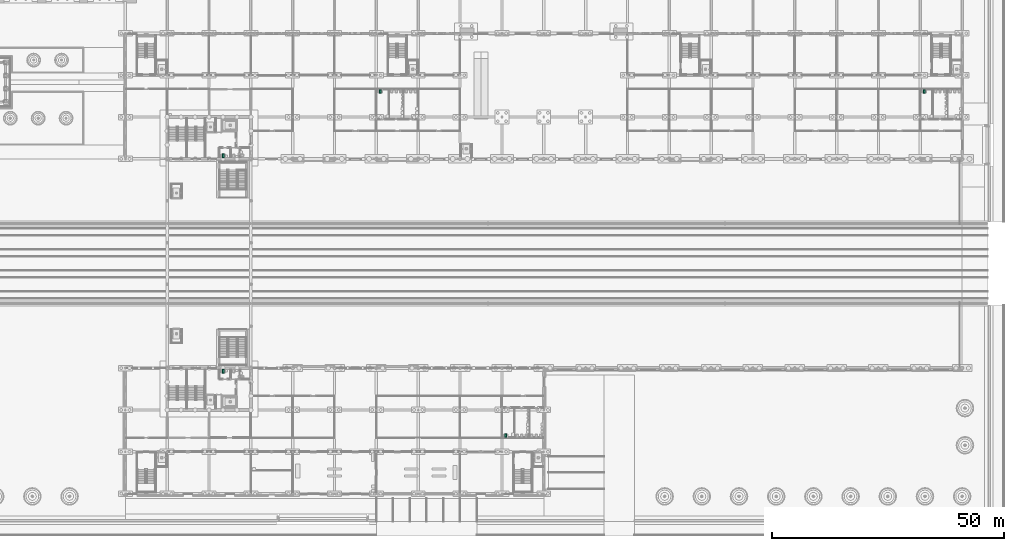
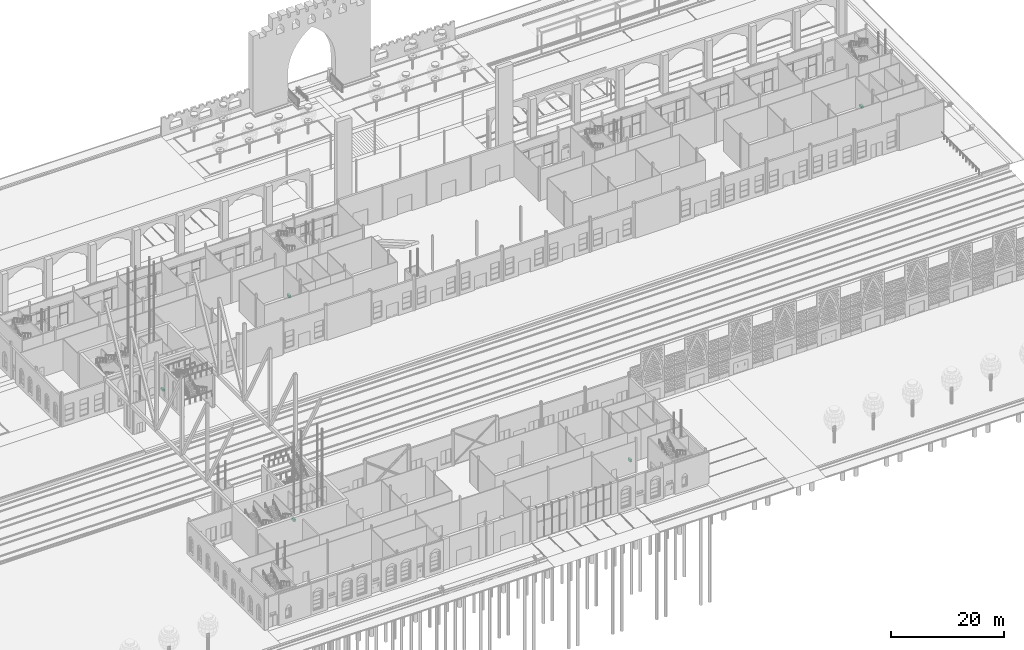
# One storey, part 231 of 250: 5 sanitary terminals.
"""IFC4 building model written with IfcOpenShell, lengths in metres."""

from ifc_helpers import new_model, si_unit, direction, frame, origin, origin_2d, place, context, subcontext, project, spatial, rectangle, extrude, material, type_object, element, save


model = new_model("IFC4")

# Units and contexts
model_context = context("Model", 3, precision=1e-05, world=origin(), true_north=direction((0.0, 1.0)))
body_context = subcontext(model_context, "Body", "Model", "MODEL_VIEW")
ifc_project = project(units=[si_unit("LENGTHUNIT", "METRE"), si_unit("AREAUNIT", "SQUARE_METRE"), si_unit("VOLUMEUNIT", "CUBIC_METRE"), si_unit("PLANEANGLEUNIT", "RADIAN"), si_unit("MASSUNIT", "GRAM", prefix="KILO")], contexts=[model_context])

# Site, building, storey
site_placement = place(None, origin())
site = spatial("IfcSite", under=ifc_project, at=site_placement, CompositionType="ELEMENT")
building_placement = place(site_placement, origin())
building = spatial("IfcBuilding", under=site, at=building_placement, Name="Baradari Gate Terminus", CompositionType="ELEMENT")
storey_placement = place(building_placement, origin())
storey = spatial("IfcBuildingStorey", under=building, at=storey_placement, Name="L00", CompositionType="ELEMENT", Elevation=0.0)

# Sanitary terminals
ifc_material = material(Name="Vitreous china", Category="ceramic")
sanitary_terminal_type = type_object("IfcSanitaryTerminalType", Name="Accessible WC pan SW-5", PredefinedType="TOILETPAN", material=ifc_material)
for number, where, z_axis, x_axis, name in (
    (1, (117.83740234375, 95.512451171875, 0.0), (0.0, 0.0, 1.0), (1.0, 0.0, 0.0), "Accessible WC pan Accessible WC"),
    (2, (234.83740234375, 95.512451171875, 0.0), (0.0, 0.0, 1.0), (1.0, 0.0, 0.0), "Accessible WC pan Accessible WC"),
    (3, (144.83740234375, 21.487548828125, 0.0), (0.0, 0.0, 1.0), (1.0, 0.0, 0.0), "Accessible WC pan Accessible WC"),
    (4, (84.050048828125, 81.699951171875, 0.0), (0.0, 0.0, 1.0), (1.0, 0.0, 0.0), "Accessible WC pan Accessible WC"),
    (5, (84.050048828125, 35.300048828125, 0.0), (0.0, 0.0, 1.0), (1.0, 0.0, 0.0), "Accessible WC pan Accessible WC"),
):
    element("IfcSanitaryTerminal", number, at=place(storey_placement, frame(where, z_axis=z_axis, x_axis=x_axis)), inside=storey, type_object=sanitary_terminal_type, Name=name, PredefinedType="TOILETPAN", context=body_context, shape_type="SweptSolid", body=[
        extrude(rectangle(XDim=0.39990234375, YDim=0.800048828125, at=origin_2d()), origin(), (0.0, 0.0, 1.0), 0.47998046875),
    ])

save(model, "model.ifc")
